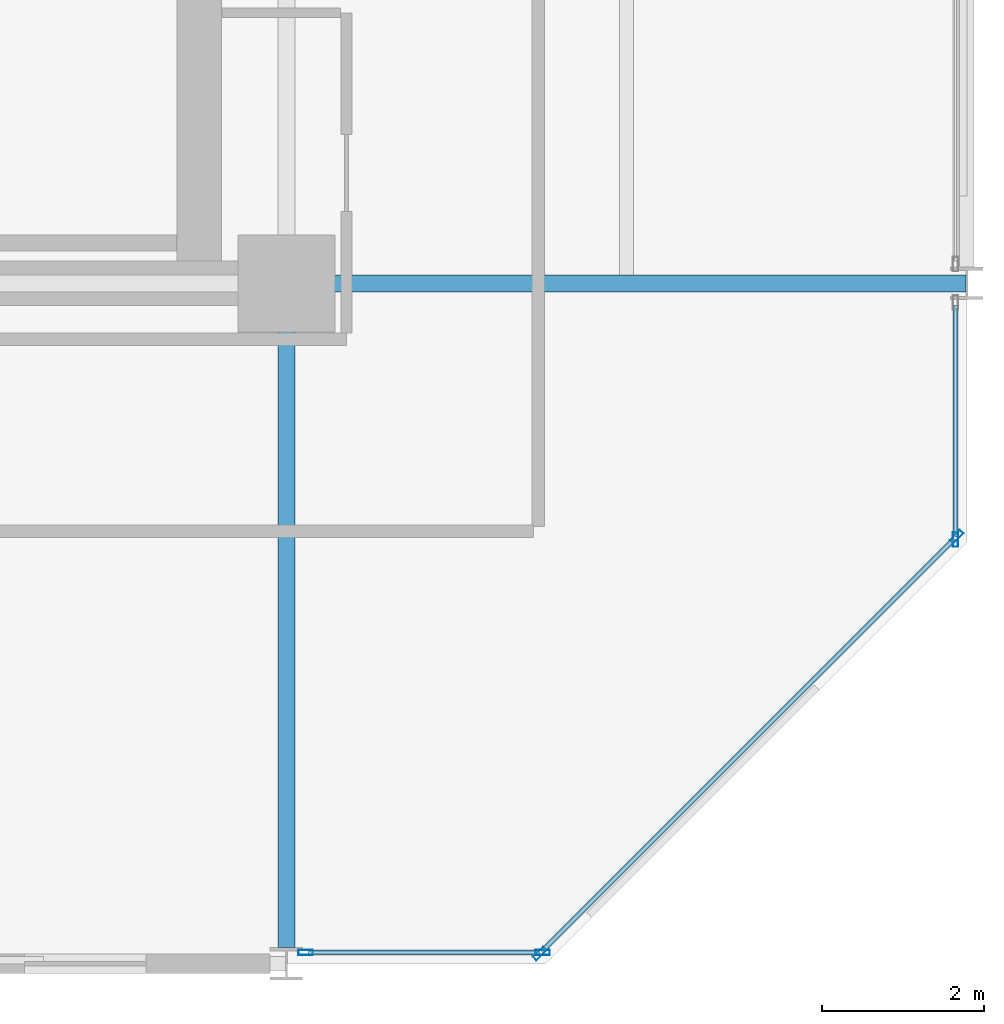
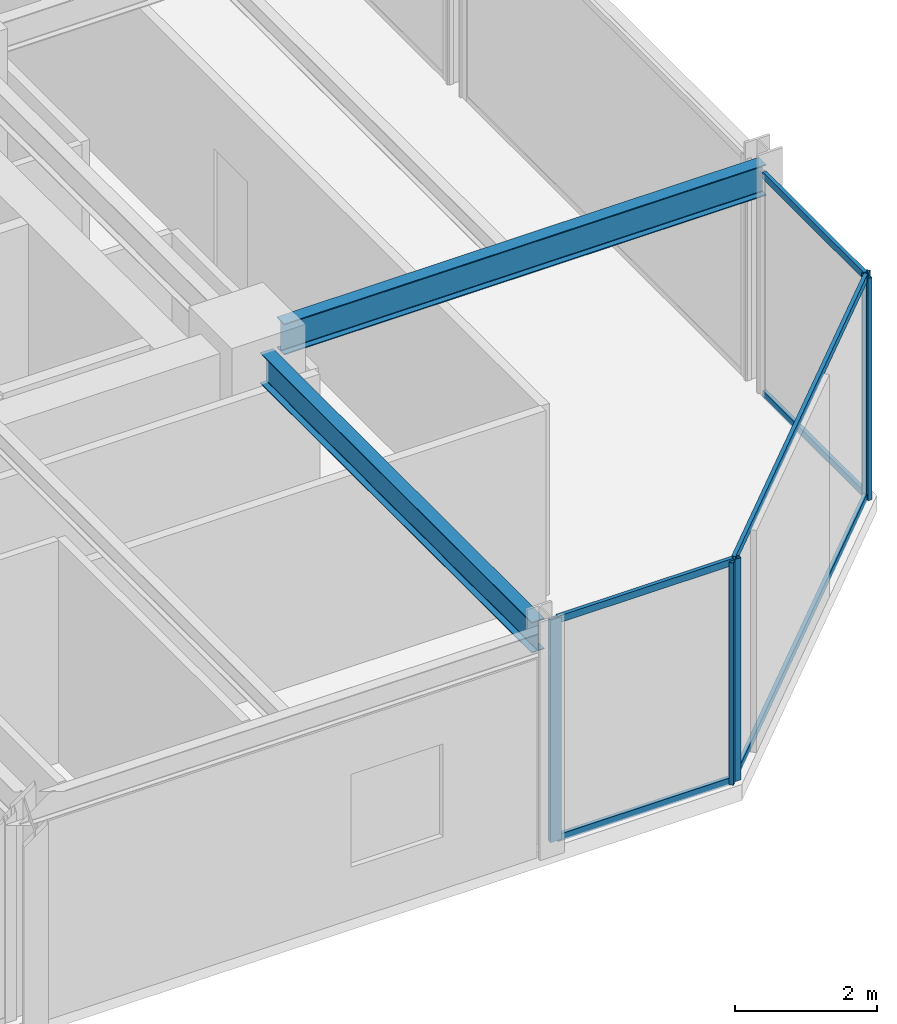
# One storey, part 13 of 29: 11 members, 2 beams, 3 elements without a shape of their own.
"""IFC4 building model written with IfcOpenShell, lengths in metres."""

from ifc_helpers import new_model, si_unit, direction, frame, origin, origin_2d, place, context, subcontext, project, spatial, hollow_rectangle, i_section, extrude, material, layer, layer_set, material_profile, profile_set, type_object, element, aggregate, save


model = new_model("IFC4")

# Units and contexts
model_context = context("Model", 3, precision=1e-05, world=origin(), true_north=direction((0.0, 1.0)))
body_context = subcontext(model_context, "Body", "Model", "MODEL_VIEW")
ifc_project = project(units=[si_unit("LENGTHUNIT", "METRE"), si_unit("AREAUNIT", "SQUARE_METRE"), si_unit("VOLUMEUNIT", "CUBIC_METRE"), si_unit("PLANEANGLEUNIT", "RADIAN"), si_unit("MASSUNIT", "GRAM", prefix="KILO")], contexts=[model_context])

# Site, building, storey
site_placement = place(None, origin())
site = spatial("IfcSite", under=ifc_project, at=site_placement, CompositionType="ELEMENT")
building_placement = place(site_placement, origin())
building = spatial("IfcBuilding", under=site, at=building_placement, Name="Nerrivon Quay Data Exchange", CompositionType="ELEMENT")
storey_placement = place(building_placement, frame((0.0, 0.0, 125.39990234375)))
storey = spatial("IfcBuildingStorey", under=building, at=storey_placement, Name="L29", CompositionType="ELEMENT", Elevation=125.39990234375)

# Beams
ifc_material_1 = material(Name="Steel Grade 350", Category="steel")
ifc_material_profile_1 = material_profile(ifc_material_1, i_section(OverallWidth=0.208984375, OverallDepth=0.532958984375, WebThickness=0.01025390625, FlangeThickness=0.015625, FilletRadius=0.013916015625, at=origin_2d()), Name="530UB92.4")
ifc_profile_set_1 = profile_set([ifc_material_profile_1], Name="Steel Grade 350")
beam_type_1 = type_object("IfcBeamType", Name="BM-G3-530UB92", PredefinedType="BEAM", material=ifc_profile_set_1)
beam_1_placement = place(storey_placement, frame((34.139892578125, 8.39990234375, 3.55859375), z_axis=(1.0, 0.0, 0.0), x_axis=(0.0, 1.0, 0.0)))
element("IfcBeam", 1, at=beam_1_placement, inside=storey, type_object=beam_type_1, Name="L29 EW Girder Y=8.4 (33.6..42.0)", PredefinedType="BEAM", context=body_context, shape_type="SweptSolid", body=[
    extrude(i_section(OverallWidth=0.208984375, OverallDepth=0.532958984375, WebThickness=0.01025390625, FlangeThickness=0.015625, FilletRadius=0.013916015625, at=origin_2d()), origin(), (0.0, 0.0, 1.0), 7.84765625),
])
ifc_material_profile_2 = material_profile(ifc_material_1, i_section(OverallWidth=0.208984375, OverallDepth=0.528076171875, WebThickness=0.009521484375, FlangeThickness=0.01318359375, FilletRadius=0.013916015625, at=origin_2d()), Name="530UB82.0")
ifc_profile_set_2 = profile_set([ifc_material_profile_2], Name="Steel Grade 350")
beam_type_2 = type_object("IfcBeamType", Name="BM-G4-530UB82", PredefinedType="BEAM", material=ifc_profile_set_2)
beam_2_placement = place(storey_placement, frame((33.60009765625, 0.199951171875, 3.56103515625), z_axis=(0.0, 1.0, 0.0), x_axis=(-1.0, 0.0, 0.0)))
element("IfcBeam", 2, at=beam_2_placement, inside=storey, type_object=beam_type_2, Name="L29 NS Girder X=33.6 (0.0..8.4)", PredefinedType="BEAM", context=body_context, shape_type="SweptSolid", body=[
    extrude(i_section(OverallWidth=0.208984375, OverallDepth=0.528076171875, WebThickness=0.009521484375, FlangeThickness=0.01318359375, FilletRadius=0.013916015625, at=origin_2d()), origin(), (0.0, 0.0, 1.0), 7.66015625),
])

# Curtain wall, members
ifc_material_2 = material(Name="Anodised aluminium 6063-T6", Category="aluminium")
ifc_layer = layer(ifc_material_2, 0.2099609375)
ifc_layer_set = layer_set([ifc_layer], Name="Anodised aluminium 6063-T6")
curtain_wall_type = type_object("IfcCurtainWallType", Name="CW-SYS-02", PredefinedType="NOTDEFINED", material=ifc_layer_set)
curtain_wall_1_placement = place(storey_placement, origin())
curtain_wall_1 = element("IfcCurtainWall", 3, at=curtain_wall_1_placement, inside=storey, type_object=curtain_wall_type, Name="L29 Unitised Curtain Wall 1", PredefinedType="NOTDEFINED")
ifc_material_profile_3 = material_profile(ifc_material_2, hollow_rectangle(XDim=0.06494140625, YDim=0.179931640625, WallThickness=0.00341796875, at=origin_2d()), Name="ALU-MULL-180x65")
ifc_profile_set_3 = profile_set([ifc_material_profile_3], Name="Anodised aluminium 6063-T6")
member_type_1 = type_object("IfcMemberType", Name="CWM-180x65", PredefinedType="MULLION", material=ifc_profile_set_3)
member_1_placement = place(storey_placement, frame((41.87451171875, 5.2724609375, 0.0), z_axis=(0.0, 0.0, 1.0), x_axis=(0.707106781187, -0.707106781187, 0.0)))
member_1 = element("IfcMember", 4, at=member_1_placement, type_object=member_type_1, Name="CW02 mullion 1", PredefinedType="MULLION", context=body_context, shape_type="SweptSolid", body=[
    extrude(hollow_rectangle(XDim=0.06494140625, YDim=0.179931640625, WallThickness=0.00341796875, at=origin_2d()), origin(), (0.0, 0.0, 1.0), 3.8251953125),
])
member_2_placement = place(storey_placement, frame((36.7275390625, 0.12548828125, 0.0), z_axis=(0.0, 0.0, 1.0), x_axis=(0.707106781187, -0.707106781187, 0.0)))
member_2 = element("IfcMember", 5, at=member_2_placement, type_object=member_type_1, Name="CW02 mullion 2", PredefinedType="MULLION", context=body_context, shape_type="SweptSolid", body=[
    extrude(hollow_rectangle(XDim=0.06494140625, YDim=0.179931640625, WallThickness=0.00341796875, at=origin_2d()), origin(), (0.0, 0.0, 1.0), 3.8251953125),
])

curtain_wall_2_placement = place(storey_placement, origin())
curtain_wall_2 = element("IfcCurtainWall", 6, at=curtain_wall_2_placement, inside=storey, type_object=curtain_wall_type, Name="L29 Unitised Curtain Wall 2", PredefinedType="NOTDEFINED")
member_3_placement = place(storey_placement, frame((36.762451171875, 0.139892578125, 0.0), z_axis=(0.0, 0.0, 1.0), x_axis=(0.0, -1.0, 0.0)))
member_3 = element("IfcMember", 7, at=member_3_placement, type_object=member_type_1, Name="CW02 mullion 1", PredefinedType="MULLION", context=body_context, shape_type="SweptSolid", body=[
    extrude(hollow_rectangle(XDim=0.06494140625, YDim=0.179931640625, WallThickness=0.00341796875, at=origin_2d()), origin(), (0.0, 0.0, 1.0), 3.8251953125),
])
member_4_placement = place(storey_placement, frame((33.83740234375, 0.139892578125, 0.0), z_axis=(0.0, 0.0, 1.0), x_axis=(0.0, -1.0, 0.0)))
member_4 = element("IfcMember", 8, at=member_4_placement, type_object=member_type_1, Name="CW02 mullion 2", PredefinedType="MULLION", context=body_context, shape_type="SweptSolid", body=[
    extrude(hollow_rectangle(XDim=0.06494140625, YDim=0.179931640625, WallThickness=0.00341796875, at=origin_2d()), origin(), (0.0, 0.0, 1.0), 3.8251953125),
])

# Curtain wall, member
curtain_wall_3_placement = place(storey_placement, origin())
curtain_wall_3 = element("IfcCurtainWall", 9, at=curtain_wall_3_placement, inside=storey, type_object=curtain_wall_type, Name="L29 Unitised Curtain Wall 30", PredefinedType="NOTDEFINED")
member_5_placement = place(storey_placement, frame((41.860107421875, 5.237548828125, 0.0), z_axis=(0.0, 0.0, 1.0), x_axis=(1.0, 0.0, 0.0)))
member_5 = element("IfcMember", 10, at=member_5_placement, type_object=member_type_1, Name="CW02 mullion 2", PredefinedType="MULLION", context=body_context, shape_type="SweptSolid", body=[
    extrude(hollow_rectangle(XDim=0.06494140625, YDim=0.179931640625, WallThickness=0.00341796875, at=origin_2d()), origin(), (0.0, 0.0, 1.0), 3.8251953125),
])

# Member
ifc_material_profile_4 = material_profile(ifc_material_2, hollow_rectangle(XDim=0.06005859375, YDim=0.1201171875, WallThickness=0.003173828125, at=origin_2d()), Name="ALU-TRAN-120x60")
ifc_profile_set_4 = profile_set([ifc_material_profile_4], Name="Anodised aluminium 6063-T6")
member_type_2 = type_object("IfcMemberType", Name="CWT-120x60", PredefinedType="USERDEFINED", material=ifc_profile_set_4)
member_6_placement = place(storey_placement, frame((41.847900390625, 5.245849609375, 0.03271484375), z_axis=(-0.707106781187, -0.707106781187, 0.0), x_axis=(0.707106781187, -0.707106781187, 0.0)))
member_6 = element("IfcMember", 11, at=member_6_placement, type_object=member_type_2, Name="CW02 transom 1.1", ObjectType="TRANSOM", PredefinedType="USERDEFINED", context=body_context, shape_type="SweptSolid", body=[
    extrude(hollow_rectangle(XDim=0.06005859375, YDim=0.1201171875, WallThickness=0.003173828125, at=origin_2d()), origin(), (0.0, 0.0, 1.0), 7.20361328125),
])

member_7_placement = place(storey_placement, frame((41.847900390625, 5.245849609375, 3.79248046875), z_axis=(-0.707106781187, -0.707106781187, 0.0), x_axis=(0.707106781187, -0.707106781187, 0.0)))
member_7 = element("IfcMember", 12, at=member_7_placement, type_object=member_type_2, Name="CW02 transom 1.2", ObjectType="TRANSOM", PredefinedType="USERDEFINED", context=body_context, shape_type="SweptSolid", body=[
    extrude(hollow_rectangle(XDim=0.06005859375, YDim=0.1201171875, WallThickness=0.003173828125, at=origin_2d()), origin(), (0.0, 0.0, 1.0), 7.20361328125),
])

aggregate(curtain_wall_1, [member_1, member_2, member_6, member_7])

member_8_placement = place(storey_placement, frame((36.72509765625, 0.139892578125, 0.03271484375), z_axis=(-1.0, 0.0, 0.0), x_axis=(0.0, -1.0, 0.0)))
member_8 = element("IfcMember", 13, at=member_8_placement, type_object=member_type_2, Name="CW02 transom 1.1", ObjectType="TRANSOM", PredefinedType="USERDEFINED", context=body_context, shape_type="SweptSolid", body=[
    extrude(hollow_rectangle(XDim=0.06005859375, YDim=0.1201171875, WallThickness=0.003173828125, at=origin_2d()), origin(), (0.0, 0.0, 1.0), 2.85009765625),
])

member_9_placement = place(storey_placement, frame((36.72509765625, 0.139892578125, 3.79248046875), z_axis=(-1.0, 0.0, 0.0), x_axis=(0.0, -1.0, 0.0)))
member_9 = element("IfcMember", 14, at=member_9_placement, type_object=member_type_2, Name="CW02 transom 1.2", ObjectType="TRANSOM", PredefinedType="USERDEFINED", context=body_context, shape_type="SweptSolid", body=[
    extrude(hollow_rectangle(XDim=0.06005859375, YDim=0.1201171875, WallThickness=0.003173828125, at=origin_2d()), origin(), (0.0, 0.0, 1.0), 2.85009765625),
])

aggregate(curtain_wall_2, [member_3, member_4, member_8, member_9])

member_10_placement = place(storey_placement, frame((41.860107421875, 8.125, 0.03271484375), z_axis=(0.0, -1.0, 0.0), x_axis=(1.0, 0.0, 0.0)))
member_10 = element("IfcMember", 15, at=member_10_placement, type_object=member_type_2, Name="CW02 transom 1.1", ObjectType="TRANSOM", PredefinedType="USERDEFINED", context=body_context, shape_type="SweptSolid", body=[
    extrude(hollow_rectangle(XDim=0.06005859375, YDim=0.1201171875, WallThickness=0.003173828125, at=origin_2d()), origin(), (0.0, 0.0, 1.0), 2.85009765625),
])

member_11_placement = place(storey_placement, frame((41.860107421875, 8.125, 3.79248046875), z_axis=(0.0, -1.0, 0.0), x_axis=(1.0, 0.0, 0.0)))
member_11 = element("IfcMember", 16, at=member_11_placement, type_object=member_type_2, Name="CW02 transom 1.2", ObjectType="TRANSOM", PredefinedType="USERDEFINED", context=body_context, shape_type="SweptSolid", body=[
    extrude(hollow_rectangle(XDim=0.06005859375, YDim=0.1201171875, WallThickness=0.003173828125, at=origin_2d()), origin(), (0.0, 0.0, 1.0), 2.85009765625),
])

aggregate(curtain_wall_3, [member_5, member_10, member_11])

save(model, "model.ifc")
